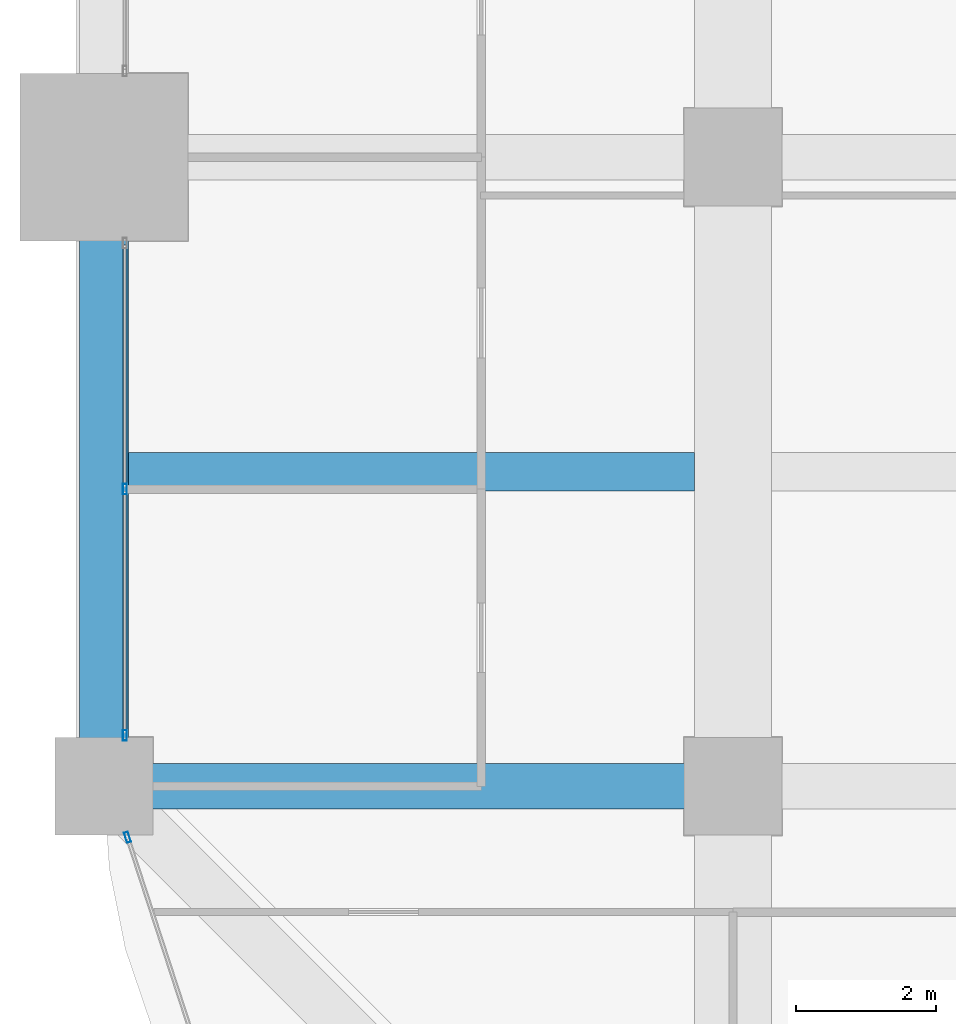
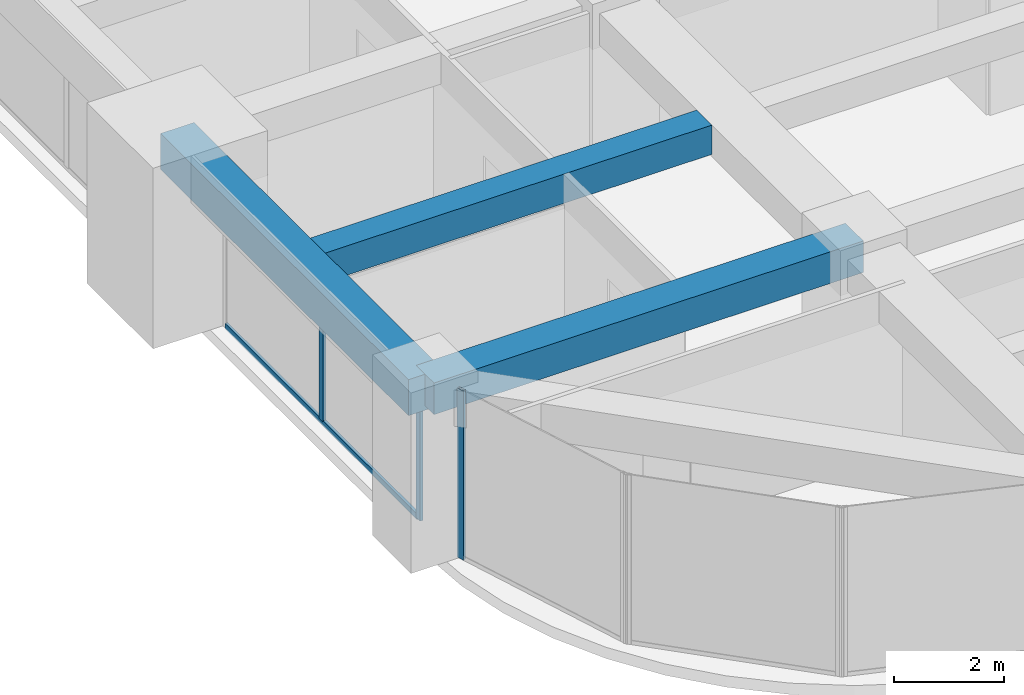
# One storey, part 4 of 34: 4 members, 3 beams, 2 elements without a shape of their own.
"""IFC4 building model written with IfcOpenShell, lengths in metres."""

from ifc_helpers import new_model, si_unit, direction, frame, origin, origin_2d, place, context, subcontext, project, spatial, rectangle, hollow_rectangle, extrude, material, material_profile, profile_set, type_object, element, aggregate, save


model = new_model("IFC4")

# Units and contexts
model_context = context("Model", 3, precision=1e-05, world=origin(), true_north=direction((0.0, 1.0)))
body_context = subcontext(model_context, "Body", "Model", "MODEL_VIEW")
ifc_project = project(units=[si_unit("LENGTHUNIT", "METRE"), si_unit("AREAUNIT", "SQUARE_METRE"), si_unit("VOLUMEUNIT", "CUBIC_METRE"), si_unit("PLANEANGLEUNIT", "RADIAN"), si_unit("MASSUNIT", "GRAM", prefix="KILO")], contexts=[model_context])

# Site, building, storey
site_placement = place(None, origin())
site = spatial("IfcSite", under=ifc_project, at=site_placement, CompositionType="ELEMENT")
building_placement = place(site_placement, origin())
building = spatial("IfcBuilding", under=site, at=building_placement, Name="Zorevar Civic Tower", CompositionType="ELEMENT")
storey_placement = place(building_placement, frame((0.0, 0.0, 214.199951171875)))
storey = spatial("IfcBuildingStorey", under=building, at=storey_placement, Name="L52", CompositionType="ELEMENT", Elevation=214.199951171875)

# Beams
ifc_material_1 = material(Name="Concrete C50/60", Category="concrete")
ifc_material_profile_1 = material_profile(ifc_material_1, rectangle(XDim=0.550048828125, YDim=0.64990234375, at=origin_2d()), Name="RC 550x650")
ifc_profile_set_1 = profile_set([ifc_material_profile_1], Name="Concrete C50/60")
beam_type_1 = type_object("IfcBeamType", Name="Beam RC 550x650", PredefinedType="BEAM", material=ifc_profile_set_1)
beam_1_placement = place(storey_placement, frame((0.35009765625, 13.5, 3.425048828125), z_axis=(1.0, 0.0, 0.0), x_axis=(0.0, 1.0, 0.0)))
element("IfcBeam", 1, at=beam_1_placement, inside=storey, type_object=beam_type_1, Name="Secondary beam L53", PredefinedType="BEAM", context=body_context, shape_type="SweptSolid", body=[
    extrude(rectangle(XDim=0.550048828125, YDim=0.64990234375, at=origin_2d()), origin(), (0.0, 0.0, 1.0), 8.099853515625),
])
ifc_material_2 = material(Name="Concrete C50/60", Category="concrete")
ifc_material_profile_2 = material_profile(ifc_material_2, rectangle(XDim=0.64990234375, YDim=0.699951171875, at=origin_2d()), Name="RC 650x700")
ifc_profile_set_2 = profile_set([ifc_material_profile_2], Name="Concrete C50/60")
beam_type_2 = type_object("IfcBeamType", Name="Beam RC 650x700", PredefinedType="BEAM", material=ifc_profile_set_2)
beam_2_placement = place(storey_placement, frame((0.0, 9.0, 3.400146484375), z_axis=(1.0, 0.0, 0.0), x_axis=(0.0, 1.0, 0.0)))
element("IfcBeam", 2, at=beam_2_placement, inside=storey, type_object=beam_type_2, Name="Girder L53", PredefinedType="BEAM", context=body_context, shape_type="SweptSolid", body=[
    extrude(rectangle(XDim=0.64990234375, YDim=0.699951171875, at=origin_2d()), origin(), (0.0, 0.0, 1.0), 9.0),
])

# Curtain wall, members
ifc_material_3 = material(Name="Dark grey solar-control glass in black aluminium frame", Category="aluminium")
curtain_wall_type = type_object("IfcCurtainWallType", Name="Curtain wall CW4 high zone", PredefinedType="NOTDEFINED", material=ifc_material_3)
curtain_wall_1_placement = place(storey_placement, origin())
curtain_wall_1 = element("IfcCurtainWall", 3, at=curtain_wall_1_placement, inside=storey, type_object=curtain_wall_type, Name="CW4 L52", PredefinedType="NOTDEFINED")
ifc_material_4 = material(Name="Aluminium, black anodised", Category="aluminium")
ifc_material_profile_3 = material_profile(ifc_material_4, hollow_rectangle(XDim=0.06005859375, YDim=0.14990234375, WallThickness=0.00390625, at=origin_2d()), Name="AL 150x60x4")
ifc_profile_set_3 = profile_set([ifc_material_profile_3], Name="Aluminium, black anodised")
member_type_1 = type_object("IfcMemberType", Name="CW4 mullion AL 150x60x4", PredefinedType="MULLION", material=ifc_profile_set_3)
member_1_placement = place(storey_placement, frame((0.300048828125, 9.72998046875, 0.0), z_axis=(0.0, 0.0, 1.0), x_axis=(-1.0, 0.0, 0.0)))
member_1 = element("IfcMember", 4, at=member_1_placement, type_object=member_type_1, Name="CW4 mullion 1", PredefinedType="MULLION", context=body_context, shape_type="SweptSolid", body=[
    extrude(hollow_rectangle(XDim=0.06005859375, YDim=0.14990234375, WallThickness=0.00390625, at=origin_2d()), origin(), (0.0, 0.0, 1.0), 2.949951171875),
])
member_2_placement = place(storey_placement, frame((0.300048828125, 13.25, 0.06005859375), z_axis=(0.0, 0.0, 1.0), x_axis=(-1.0, 0.0, 0.0)))
member_2 = element("IfcMember", 5, at=member_2_placement, type_object=member_type_1, Name="CW4 mullion 2", PredefinedType="MULLION", context=body_context, shape_type="SweptSolid", body=[
    extrude(hollow_rectangle(XDim=0.06005859375, YDim=0.14990234375, WallThickness=0.00390625, at=origin_2d()), origin(), (0.0, 0.0, 1.0), 2.889892578125),
])

# Curtain wall, member
curtain_wall_2_placement = place(storey_placement, origin())
curtain_wall_2 = element("IfcCurtainWall", 6, at=curtain_wall_2_placement, inside=storey, type_object=curtain_wall_type, Name="CW4 L52", PredefinedType="NOTDEFINED")
member_3_placement = place(storey_placement, frame((0.337646484375, 8.271484375, 0.0), z_axis=(0.0, 0.0, 1.0), x_axis=(0.950644749916, 0.310281419775, 0.0)))
member_3 = element("IfcMember", 7, at=member_3_placement, type_object=member_type_1, Name="CW4 mullion 1", PredefinedType="MULLION", context=body_context, shape_type="SweptSolid", body=[
    extrude(hollow_rectangle(XDim=0.06005859375, YDim=0.14990234375, WallThickness=0.00390625, at=origin_2d()), origin(), (0.0, 0.0, 1.0), 3.75),
])
aggregate(curtain_wall_2, [member_3])

# Member
ifc_material_5 = material(Name="Aluminium, black anodised", Category="aluminium")
ifc_material_profile_4 = material_profile(ifc_material_5, hollow_rectangle(XDim=0.06005859375, YDim=0.1201171875, WallThickness=0.0029296875, at=origin_2d()), Name="AL 120x60x3")
ifc_profile_set_4 = profile_set([ifc_material_profile_4], Name="Aluminium, black anodised")
member_type_2 = type_object("IfcMemberType", Name="CW4 transom AL 120x60x3", PredefinedType="USERDEFINED", material=ifc_profile_set_4)
member_4_placement = place(storey_placement, frame((0.300048828125, 9.760009765625, 0.030029296875), z_axis=(0.0, 1.0, 0.0), x_axis=(-1.0, 0.0, 0.0)))
member_4 = element("IfcMember", 8, at=member_4_placement, type_object=member_type_2, Name="CW4 sill transom", ObjectType="TRANSOM", PredefinedType="USERDEFINED", context=body_context, shape_type="SweptSolid", body=[
    extrude(hollow_rectangle(XDim=0.06005859375, YDim=0.1201171875, WallThickness=0.0029296875, at=origin_2d()), origin(), (0.0, 0.0, 1.0), 6.97998046875),
])

aggregate(curtain_wall_1, [member_1, member_2, member_4])

# Beam
ifc_material_6 = material(Name="Concrete C50/60", Category="concrete")
ifc_material_profile_5 = material_profile(ifc_material_6, rectangle(XDim=0.699951171875, YDim=0.800048828125, at=origin_2d()), Name="RC 700x800")
ifc_profile_set_5 = profile_set([ifc_material_profile_5], Name="Concrete C50/60")
beam_type_3 = type_object("IfcBeamType", Name="Edge beam RC 700x800", PredefinedType="SPANDREL", material=ifc_profile_set_5)
beam_3_placement = place(storey_placement, frame((0.0, 9.0, 3.35009765625), z_axis=(0.0, 1.0, 0.0), x_axis=(-1.0, 0.0, 0.0)))
element("IfcBeam", 9, at=beam_3_placement, inside=storey, type_object=beam_type_3, Name="Edge beam L53", PredefinedType="SPANDREL", context=body_context, shape_type="SweptSolid", body=[
    extrude(rectangle(XDim=0.699951171875, YDim=0.800048828125, at=origin_2d()), origin(), (0.0, 0.0, 1.0), 9.0),
])

save(model, "model.ifc")
